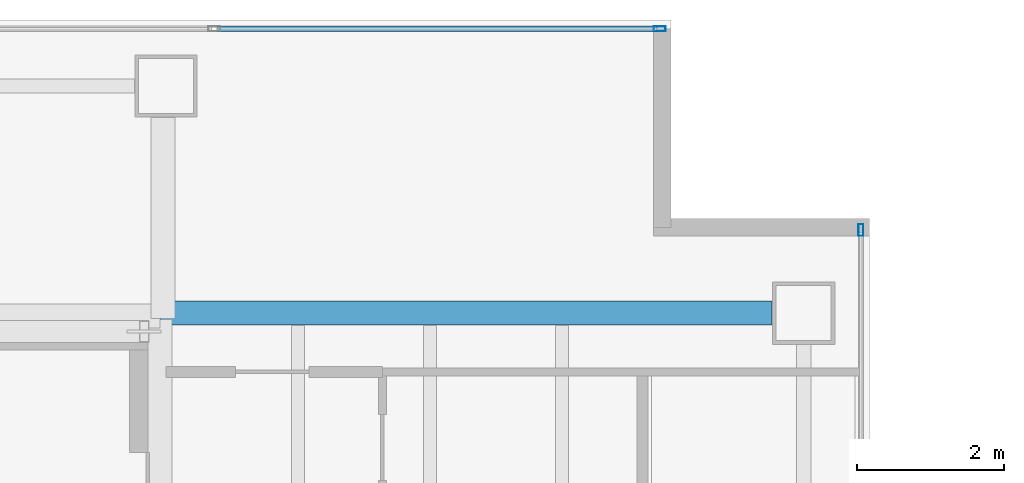
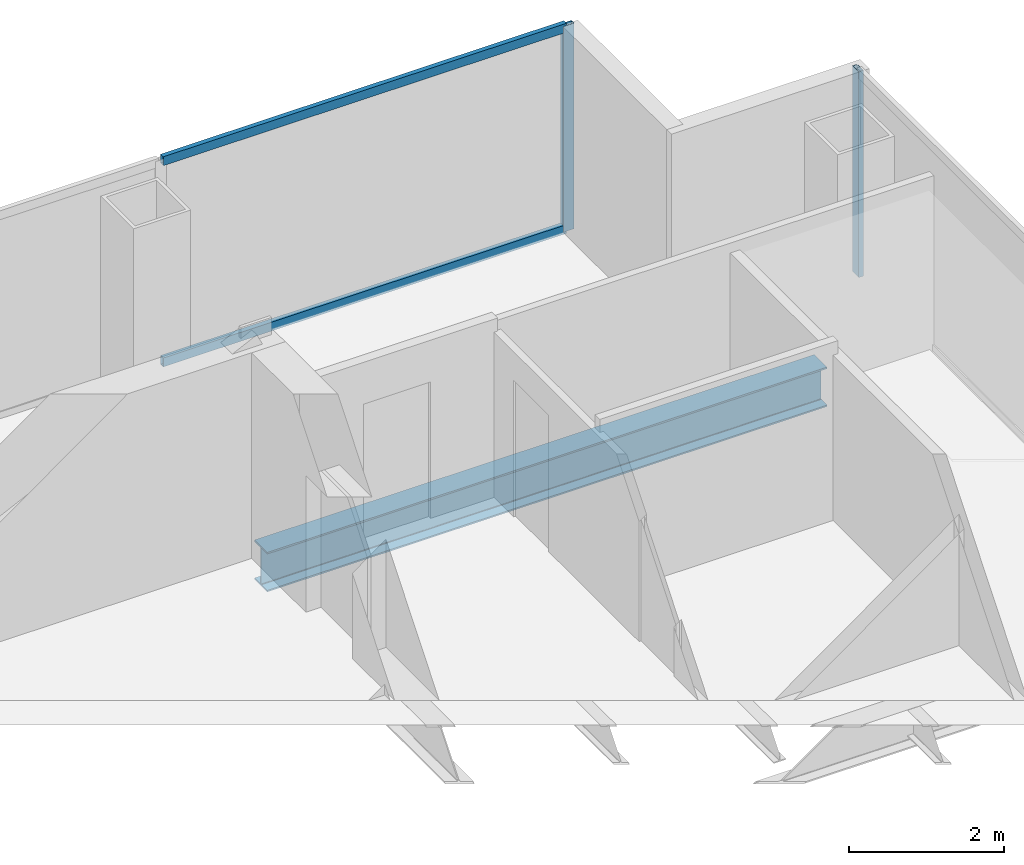
# One storey, part 18 of 23: 4 members, 1 beam, 2 elements without a shape of their own.
"""IFC4 building model written with IfcOpenShell, lengths in metres."""

from ifc_helpers import new_model, si_unit, direction, frame, origin, origin_2d, place, context, subcontext, project, spatial, hollow_rectangle, i_section, extrude, material, material_profile, profile_set, type_object, element, aggregate, save


model = new_model("IFC4")

# Units and contexts
model_context = context("Model", 3, precision=1e-05, world=origin(), true_north=direction((0.0, 1.0)))
body_context = subcontext(model_context, "Body", "Model", "MODEL_VIEW")
ifc_project = project(units=[si_unit("LENGTHUNIT", "METRE"), si_unit("AREAUNIT", "SQUARE_METRE"), si_unit("VOLUMEUNIT", "CUBIC_METRE"), si_unit("PLANEANGLEUNIT", "RADIAN"), si_unit("MASSUNIT", "GRAM", prefix="KILO")], contexts=[model_context])

# Site, building, storey
site_placement = place(None, origin())
site = spatial("IfcSite", under=ifc_project, at=site_placement, CompositionType="ELEMENT")
building_placement = place(site_placement, origin())
building = spatial("IfcBuilding", under=site, at=building_placement, Name="Cobrela Telecom Tower", CompositionType="ELEMENT")
storey_placement = place(building_placement, frame((0.0, 0.0, 173.25)))
storey = spatial("IfcBuildingStorey", under=building, at=storey_placement, Name="L43", CompositionType="ELEMENT", Elevation=173.25)

# Beam
ifc_material_1 = material(Name="Steel ASTM A992 Grade 50", Category="steel")
ifc_material_profile_1 = material_profile(ifc_material_1, i_section(OverallWidth=0.327880859375, OverallDepth=0.6220703125, WebThickness=0.015380859375, FlangeThickness=0.0244140625, FilletRadius=0.014892578125, at=origin_2d()), Name="W24X131")
ifc_profile_set_1 = profile_set([ifc_material_profile_1], Name="Steel ASTM A992 Grade 50")
beam_type = type_object("IfcBeamType", Name="BM-GIRD-06", PredefinedType="USERDEFINED", material=ifc_profile_set_1)
beam_placement = place(storey_placement, frame((14.324951171875, 36.0, -0.571044921875), z_axis=(1.0, 0.0, 0.0), x_axis=(0.0, 1.0, 0.0)))
element("IfcBeam", 1, at=beam_placement, inside=storey, type_object=beam_type, Name="L43 Primary Girder X22", ObjectType="GIRDER", PredefinedType="USERDEFINED", context=body_context, shape_type="SweptSolid", body=[
    extrude(i_section(OverallWidth=0.327880859375, OverallDepth=0.6220703125, WebThickness=0.015380859375, FlangeThickness=0.0244140625, FilletRadius=0.014892578125, at=origin_2d()), origin(), (0.0, 0.0, 1.0), 8.344970703125),
])

# Curtain wall, member
ifc_material_2 = material(Name="Anodized Bronze Aluminium 6063-T6", Category="aluminium")
curtain_wall_type = type_object("IfcCurtainWallType", Name="CW-SYS-OFF-LO", PredefinedType="USERDEFINED", material=ifc_material_2)
curtain_wall_1_placement = place(storey_placement, origin())
curtain_wall_1 = element("IfcCurtainWall", 2, at=curtain_wall_1_placement, inside=storey, type_object=curtain_wall_type, Name="L43 Unitised Bronze Curtain Wall 07", ObjectType="UNITISED CURTAIN WALL", PredefinedType="USERDEFINED")
ifc_material_profile_2 = material_profile(ifc_material_2, hollow_rectangle(XDim=0.070068359375, YDim=0.159912109375, WallThickness=0.00390625, at=origin_2d()), Name="ALU 70x160x4")
ifc_profile_set_2 = profile_set([ifc_material_profile_2], Name="Anodized Bronze Aluminium 6063-T6")
member_type_1 = type_object("IfcMemberType", Name="CW-SYS-OFF-LO-MUL", PredefinedType="MULLION", material=ifc_profile_set_2)
member_1_placement = place(storey_placement, frame((21.135009765625, 39.8798828125, 0.0), z_axis=(0.0, 0.0, 1.0), x_axis=(0.0, 1.0, 0.0)))
member_1 = element("IfcMember", 3, at=member_1_placement, type_object=member_type_1, Name="CW-OFF-LO mullion 4", PredefinedType="MULLION", context=body_context, shape_type="SweptSolid", body=[
    extrude(hollow_rectangle(XDim=0.070068359375, YDim=0.159912109375, WallThickness=0.00390625, at=origin_2d()), origin(), (0.0, 0.0, 1.0), 3.239990234375),
])

curtain_wall_2_placement = place(storey_placement, origin())
curtain_wall_2 = element("IfcCurtainWall", 4, at=curtain_wall_2_placement, inside=storey, type_object=curtain_wall_type, Name="L43 Unitised Bronze Curtain Wall 10", ObjectType="UNITISED CURTAIN WALL", PredefinedType="USERDEFINED")
member_2_placement = place(storey_placement, frame((23.8798828125, 37.135009765625, 0.0), z_axis=(0.0, 0.0, 1.0), x_axis=(1.0, 0.0, 0.0)))
member_2 = element("IfcMember", 5, at=member_2_placement, type_object=member_type_1, Name="CW-OFF-LO mullion 1", PredefinedType="MULLION", context=body_context, shape_type="SweptSolid", body=[
    extrude(hollow_rectangle(XDim=0.070068359375, YDim=0.159912109375, WallThickness=0.00390625, at=origin_2d()), origin(), (0.0, 0.0, 1.0), 3.239990234375),
])
aggregate(curtain_wall_2, [member_2])

# Member
ifc_material_profile_3 = material_profile(ifc_material_2, hollow_rectangle(XDim=0.070068359375, YDim=0.139892578125, WallThickness=0.00390625, at=origin_2d()), Name="ALU 70x140x4")
ifc_profile_set_3 = profile_set([ifc_material_profile_3], Name="Anodized Bronze Aluminium 6063-T6")
member_type_2 = type_object("IfcMemberType", Name="CW-SYS-OFF-LO-TRN", PredefinedType="USERDEFINED", material=ifc_profile_set_3)
member_3_placement = place(storey_placement, frame((15.091552734375, 39.8798828125, 0.034912109375), z_axis=(1.0, 0.0, 0.0), x_axis=(0.0, 1.0, 0.0)))
member_3 = element("IfcMember", 6, at=member_3_placement, type_object=member_type_2, Name="CW-OFF-LO transom 3.1", ObjectType="TRANSOM", PredefinedType="USERDEFINED", context=body_context, shape_type="SweptSolid", body=[
    extrude(hollow_rectangle(XDim=0.070068359375, YDim=0.139892578125, WallThickness=0.00390625, at=origin_2d()), origin(), (0.0, 0.0, 1.0), 6.008544921875),
])

member_4_placement = place(storey_placement, frame((15.091552734375, 39.8798828125, 3.205078125), z_axis=(1.0, 0.0, 0.0), x_axis=(0.0, 1.0, 0.0)))
member_4 = element("IfcMember", 7, at=member_4_placement, type_object=member_type_2, Name="CW-OFF-LO transom 3.2", ObjectType="TRANSOM", PredefinedType="USERDEFINED", context=body_context, shape_type="SweptSolid", body=[
    extrude(hollow_rectangle(XDim=0.070068359375, YDim=0.139892578125, WallThickness=0.00390625, at=origin_2d()), origin(), (0.0, 0.0, 1.0), 6.008544921875),
])

aggregate(curtain_wall_1, [member_1, member_3, member_4])

save(model, "model.ifc")
